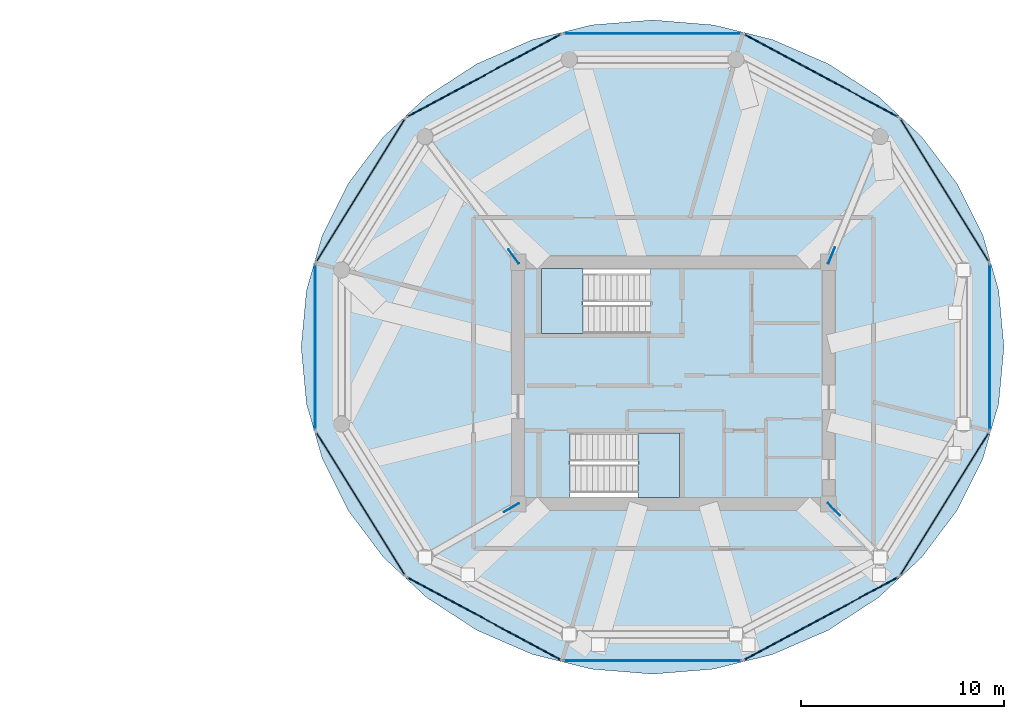
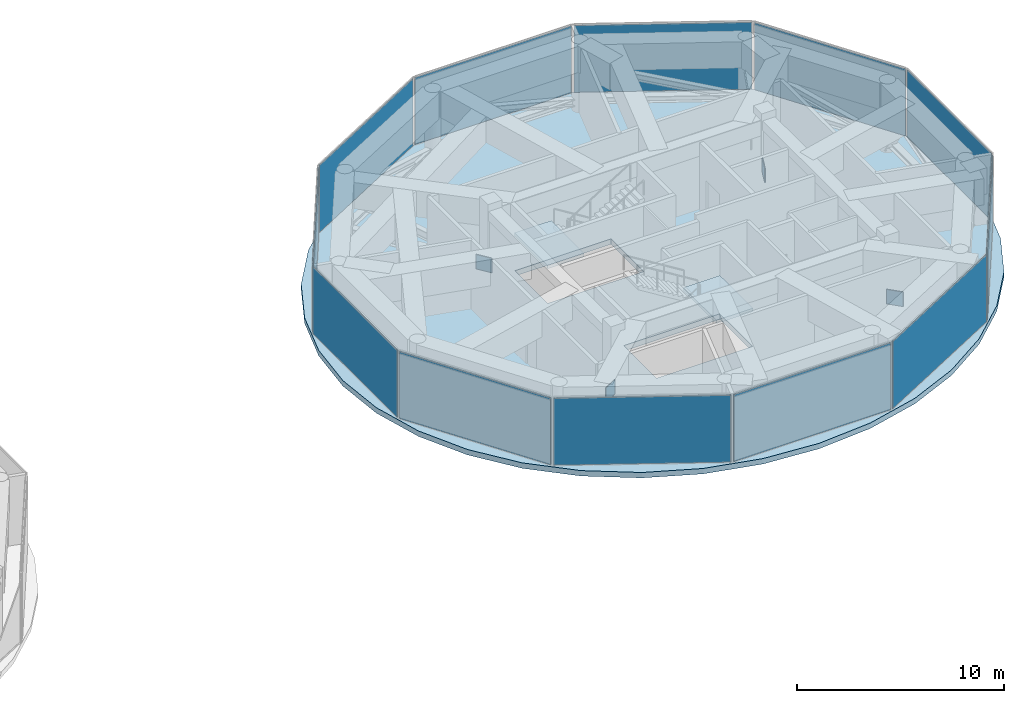
# One storey, part 12 of 20: 16 plates, 3 slabs, 14 elements without a shape of their own.
"""IFC4 building model written with IfcOpenShell, lengths in metres."""

import ifcopenshell
import ifcopenshell.guid

model = None  # the IFC model being written
_history = None  # IfcOwnerHistory: only IFC2X3 demands one
_inside = {}  # id of a spatial element -> (the spatial element, [elements in it])
_under = {}  # id of a project, library or spatial element -> (it, [spatial elements below it])
_declared = {}  # id of a project -> (the project, [libraries it declares])
_typed = {}  # id of a type object -> (the type object, [elements of that type])
_made_of = {}  # id of a material, layer set ... -> (it, [elements and type objects made of it])


def new_model(schema):
    """Start an empty IFC model of exactly this schema.

    Asked for "IFC4X3", IfcOpenShell would pick the latest addendum, in which some entities
    have other attributes; the version numbers below select the first issue.
    IFC2X3 requires an IfcOwnerHistory on every rooted entity: one is made here for all.
    """
    global model, _history
    if schema == "IFC4X3":
        model = ifcopenshell.file(schema_version=(4, 3, 0, 0))
    else:
        model = ifcopenshell.file(schema=schema)
    _inside.clear()
    _under.clear()
    _declared.clear()
    _typed.clear()
    _made_of.clear()
    _history = None
    if model.schema == "IFC2X3":
        org = make("IfcOrganization", Name="unknown")
        user = make(
            "IfcPersonAndOrganization",
            ThePerson=make("IfcPerson", FamilyName="unknown"),
            TheOrganization=org,
        )
        app = make(
            "IfcApplication",
            ApplicationDeveloper=org,
            Version="unknown",
            ApplicationFullName="unknown",
            ApplicationIdentifier="unknown",
        )
        _history = make(
            "IfcOwnerHistory",
            OwningUser=user,
            OwningApplication=app,
            ChangeAction="ADDED",
            CreationDate=0,
        )
    return model


def make(cls, **values):
    """One entity of the class cls with the attributes given. An attribute that is None is left unset."""
    return model.create_entity(
        cls, **{name: value for name, value in values.items() if value is not None}
    )


def rooted(cls, **values):
    """An entity with a GlobalId (a new one), such as an element, a storey or a relation."""
    return make(cls, GlobalId=ifcopenshell.guid.new(), OwnerHistory=_history, **values)


def si_unit(unit_type, name, prefix=None):
    """IfcSIUnit, for example si_unit("LENGTHUNIT", "METRE", prefix="MILLI")."""
    return make("IfcSIUnit", UnitType=unit_type, Prefix=prefix, Name=name)


def assignment(units):
    """IfcUnitAssignment: the units of a project."""
    return None if units is None else make("IfcUnitAssignment", Units=units)


def point(xyz):
    """IfcCartesianPoint."""
    return None if xyz is None else make("IfcCartesianPoint", Coordinates=xyz)


def direction(xyz):
    """IfcDirection."""
    return None if xyz is None else make("IfcDirection", DirectionRatios=xyz)


def frame(location, z_axis=None, x_axis=None):
    """IfcAxis2Placement3D, a coordinate frame: its origin and axes. An axis left out is left unset."""
    return make(
        "IfcAxis2Placement3D",
        Location=point(location),
        Axis=direction(z_axis),
        RefDirection=direction(x_axis),
    )


def frame_2d(location, x_axis=None):
    """IfcAxis2Placement2D, a coordinate frame in the plane: its origin and x axis."""
    return make(
        "IfcAxis2Placement2D", Location=point(location), RefDirection=direction(x_axis)
    )


def origin():
    """The frame at (0, 0, 0) with its axes left unset."""
    return frame((0.0, 0.0, 0.0))


def origin_2d():
    """The frame at (0, 0) in the plane with its x axis left unset."""
    return frame_2d((0.0, 0.0))


def place(relative_to, where):
    """IfcLocalPlacement: puts the frame where relative to a parent placement (None: the world)."""
    return make(
        "IfcLocalPlacement", PlacementRelTo=relative_to, RelativePlacement=where
    )


def context(
    kind, dimensions, precision=None, world=None, true_north=None, identifier=None
):
    """IfcGeometricRepresentationContext, for example the 3D "Model" context."""
    return make(
        "IfcGeometricRepresentationContext",
        ContextIdentifier=identifier,
        ContextType=kind,
        CoordinateSpaceDimension=dimensions,
        Precision=precision,
        WorldCoordinateSystem=world,
        TrueNorth=true_north,
    )


def subcontext(parent, identifier, kind, view, scale=None):
    """IfcGeometricRepresentationSubContext, for example "Body" below "Model"."""
    return make(
        "IfcGeometricRepresentationSubContext",
        ContextIdentifier=identifier,
        ContextType=kind,
        ParentContext=parent,
        TargetScale=scale,
        TargetView=view,
    )


def project(units=None, contexts=None):
    """IfcProject with its units and contexts."""
    return rooted(
        "IfcProject",
        Name="project",
        RepresentationContexts=contexts,
        UnitsInContext=assignment(units),
    )


def spatial(cls, under=None, at=None, **own):
    """A site, building, storey or space (cls), placed at a placement, below another one or the project."""
    s = rooted(cls, ObjectPlacement=at, **own)
    if under is not None:
        _under.setdefault(under.id(), (under, []))[1].append(s)
    return s


def polyline(points):
    """IfcPolyline through the points."""
    return make("IfcPolyline", Points=[point(p) for p in points])


def profile(cls, at=None, kind="AREA", **sizes):
    """A parametric profile (cls). Its sizes go by their IFC names, for example OverallWidth=200.0."""
    return make(cls, ProfileType=kind, Position=at, **sizes)


def rectangle(**sizes):
    """IfcRectangleProfileDef."""
    return profile("IfcRectangleProfileDef", **sizes)


def outline(outer, holes=None, kind="AREA"):
    """IfcArbitraryClosedProfileDef: a profile drawn as a closed curve; with holes, ...WithVoids."""
    if holes is None:
        return make("IfcArbitraryClosedProfileDef", ProfileType=kind, OuterCurve=outer)
    return make(
        "IfcArbitraryProfileDefWithVoids",
        ProfileType=kind,
        OuterCurve=outer,
        InnerCurves=holes,
    )


def extrude(swept, where, along, depth):
    """IfcExtrudedAreaSolid: the profile swept, set in the frame where, extruded along a direction by depth."""
    return make(
        "IfcExtrudedAreaSolid",
        SweptArea=swept,
        Position=where,
        ExtrudedDirection=direction(along),
        Depth=depth,
    )


def shape(context_of_items, identifier, shape_type, items):
    """IfcShapeRepresentation: the items that make up one representation, for example the "Body"."""
    return make(
        "IfcShapeRepresentation",
        ContextOfItems=context_of_items,
        RepresentationIdentifier=identifier,
        RepresentationType=shape_type,
        Items=items,
    )


def source(mapping_origin, context_of_items, identifier, shape_type, items):
    """IfcRepresentationMap: a shape defined once, which mapped items show again and again."""
    return make(
        "IfcRepresentationMap",
        MappingOrigin=mapping_origin,
        MappedRepresentation=shape(context_of_items, identifier, shape_type, items),
    )


def transform(
    local_origin,
    x_axis=None,
    y_axis=None,
    z_axis=None,
    scale=None,
    scale2=None,
    scale3=None,
    uniform=True,
):
    """IfcCartesianTransformationOperator3D, or its non-uniform kind. x_axis, y_axis, z_axis: its Axis1, 2, 3."""
    if uniform:
        return make(
            "IfcCartesianTransformationOperator3D",
            Axis1=direction(x_axis),
            Axis2=direction(y_axis),
            LocalOrigin=point(local_origin),
            Scale=scale,
            Axis3=direction(z_axis),
        )
    return make(
        "IfcCartesianTransformationOperator3DnonUniform",
        Axis1=direction(x_axis),
        Axis2=direction(y_axis),
        LocalOrigin=point(local_origin),
        Scale=scale,
        Axis3=direction(z_axis),
        Scale2=scale2,
        Scale3=scale3,
    )


def mapped(mapping_source, mapping_target):
    """IfcMappedItem: shows the shape of a source again, moved by a transform."""
    return make(
        "IfcMappedItem", MappingSource=mapping_source, MappingTarget=mapping_target
    )


def material(Name=None, Category=None):
    """IfcMaterial."""
    return make("IfcMaterial", Name=Name, Category=Category)


def layer(
    of_material, thickness, ventilated=None, Name=None, Category=None, Priority=None
):
    """IfcMaterialLayer: one layer of a wall or slab, of a material (None: an air gap)."""
    return make(
        "IfcMaterialLayer",
        Material=of_material,
        LayerThickness=thickness,
        IsVentilated=ventilated,
        Name=Name,
        Category=Category,
        Priority=Priority,
    )


def layer_set(layers, Name=None):
    """IfcMaterialLayerSet."""
    return make("IfcMaterialLayerSet", MaterialLayers=layers, LayerSetName=Name)


def made_of(thing, what):
    """Note that an element or type object is made of a material, layer set ...; save() writes the relation."""
    if what is not None:
        _made_of.setdefault(what.id(), (what, []))[1].append(thing)
    return thing


def type_object(cls, material=None, **own):
    """A type object (cls), such as IfcWallType, which elements share."""
    return made_of(rooted(cls, **own), material)


def type_shapes(of_type, sources):
    """Give a type object the sources (RepresentationMaps) that its elements show as mapped items."""
    of_type.RepresentationMaps = sources


def element(
    cls,
    number,
    at=None,
    inside=None,
    cuts=None,
    type_object=None,
    material=None,
    context=None,
    identifier="Body",
    shape_type=None,
    held_by="IfcProductDefinitionShape",
    body=None,
    shapes=None,
    **own,
):
    """One element of the class cls, such as IfcWall. Its Tag is "e" and its number.

    at: its placement. inside: the storey or other place that contains it. cuts: it is an
    opening in that element (IfcRelVoidsElement). A single representation is given by context,
    identifier, shape_type and body (its items); several are given by shapes. held_by: the class
    of the entity that holds the representations. save() writes the other relations.
    """
    e = rooted(cls, Tag="e%d" % number, ObjectPlacement=at, **own)
    if body is not None:
        shapes = [shape(context, identifier, shape_type, body)]
    if shapes is not None:
        e.Representation = make(held_by, Representations=shapes)
    if inside is not None:
        _inside.setdefault(inside.id(), (inside, []))[1].append(e)
    if cuts is not None:
        rooted(
            "IfcRelVoidsElement", RelatingBuildingElement=cuts, RelatedOpeningElement=e
        )
    if type_object is not None:
        _typed.setdefault(type_object.id(), (type_object, []))[1].append(e)
    return made_of(e, material)


def aggregate(whole, parts):
    """IfcRelAggregates: a whole, such as a stair, and the parts it consists of."""
    return rooted("IfcRelAggregates", RelatingObject=whole, RelatedObjects=parts)


def save(model, path):
    """Write the relations noted so far, then the file.

    IfcRelAggregates (storeys below a building ...), IfcRelContainedInSpatialStructure (elements
    in a storey), IfcRelDefinesByType, IfcRelAssociatesMaterial and IfcRelDeclares: one each for
    every whole, place, type object, material and project.
    """
    for whole, parts in _under.values():
        aggregate(whole, parts)
    for where, things in _inside.values():
        rooted(
            "IfcRelContainedInSpatialStructure",
            RelatedElements=things,
            RelatingStructure=where,
        )
    for kind, things in _typed.values():
        rooted("IfcRelDefinesByType", RelatedObjects=things, RelatingType=kind)
    for what, things in _made_of.values():
        rooted("IfcRelAssociatesMaterial", RelatedObjects=things, RelatingMaterial=what)
    for by, libraries in _declared.values():
        rooted("IfcRelDeclares", RelatingContext=by, RelatedDefinitions=libraries)
    model.write(path)


model = new_model("IFC4")

# Units and contexts
model_context = context("Model", 3, precision=1e-05, world=origin(), true_north=direction((0.0, 1.0)))
body_context = subcontext(model_context, "Body", "Model", "MODEL_VIEW")
ifc_project = project(units=[si_unit("LENGTHUNIT", "METRE"), si_unit("AREAUNIT", "SQUARE_METRE"), si_unit("VOLUMEUNIT", "CUBIC_METRE"), si_unit("PLANEANGLEUNIT", "RADIAN"), si_unit("MASSUNIT", "GRAM", prefix="KILO")], contexts=[model_context])

# Site, building, storey
site_placement = place(None, origin())
site = spatial("IfcSite", under=ifc_project, at=site_placement, CompositionType="ELEMENT")
building_placement = place(site_placement, origin())
building = spatial("IfcBuilding", under=site, at=building_placement, Name="Norrkilde Senior Care Towers", CompositionType="ELEMENT")
storey_placement = place(building_placement, frame((0.0, 0.0, 186.14990234375)))
storey = spatial("IfcBuildingStorey", under=building, at=storey_placement, Name="L58", CompositionType="ELEMENT", Elevation=186.14990234375)

# Slab
ifc_material_1 = material(Name="Concrete C50/60", Category="concrete")
ifc_layer_1 = layer(ifc_material_1, 0.320068359375)
ifc_layer_set_1 = layer_set([ifc_layer_1], Name="Concrete C50/60")
slab_type_1 = type_object("IfcSlabType", Name="Podium Clinic Floor Slab 320", PredefinedType="FLOOR", material=ifc_layer_set_1)
slab_1_placement = place(storey_placement, frame((0.0, 0.0, -0.31982421875)))
element("IfcSlab", 1, at=slab_1_placement, inside=storey, type_object=slab_type_1, Name="L58 Drum E Structural Floor Slab", PredefinedType="FLOOR", context=body_context, shape_type="SweptSolid", body=[
    extrude(outline(polyline([(43.231689453125, -3.731201171875), (41.957275390625, -6.274658203125), (40.2275390625, -8.573486328125), (38.09521484375, -10.557861328125), (35.625, -12.167724609375), (32.891845703125, -13.353759765625), (29.97900390625, -14.080078125), (26.97509765625, -14.32470703125), (23.970947265625, -14.080078125), (21.05810546875, -13.353759765625), (18.324951171875, -12.167724609375), (15.854736328125, -10.557861328125), (13.722412109375, -8.573486328125), (11.99267578125, -6.274658203125), (10.71826171875, -3.731201171875), (9.937744140625, -1.020263671875), (9.675048828125, 1.775390625), (9.937744140625, 4.571044921875), (10.71826171875, 7.281982421875), (11.99267578125, 9.825439453125), (13.722412109375, 12.124267578125), (15.854736328125, 14.108642578125), (18.324951171875, 15.71826171875), (21.05810546875, 16.904296875), (23.970947265625, 17.630859375), (26.97509765625, 17.875244140625), (29.97900390625, 17.630859375), (32.891845703125, 16.904296875), (35.625, 15.71826171875), (38.09521484375, 14.108642578125), (40.2275390625, 12.124267578125), (41.957275390625, 9.825439453125), (43.231689453125, 7.281982421875), (44.01220703125, 4.571044921875), (44.27490234375, 1.775390625), (44.01220703125, -1.020263671875), (43.231689453125, -3.731201171875)]), holes=[polyline([(21.51806640625, 2.468017578125), (26.882080078125, 2.468017578125), (26.882080078125, 5.639892578125), (21.51806640625, 5.639892578125), (21.51806640625, 2.468017578125)]), polyline([(28.281982421875, -5.639892578125), (28.281982421875, -2.468017578125), (22.91796875, -2.468017578125), (22.91796875, -5.639892578125), (28.281982421875, -5.639892578125)])]), origin(), (0.0, 0.0, 1.0), 0.31982421875),
])

# Stair, slab
ifc_material_2 = material(Name="Concrete C45/55", Category="concrete")
stair_type = type_object("IfcStairType", Name="Core Protected Dogleg Stair Refuge 4500", PredefinedType="HALF_TURN_STAIR", material=ifc_material_2)
stair_1_placement = place(storey_placement, origin())
stair_1 = element("IfcStair", 2, at=stair_1_placement, inside=storey, type_object=stair_type, Name="L58 Protected Core Stair E1", PredefinedType="HALF_TURN_STAIR")
ifc_layer_2 = layer(ifc_material_2, 0.199951171875)
ifc_layer_set_2 = layer_set([ifc_layer_2], Name="Concrete C45/55")
slab_type_2 = type_object("IfcSlabType", Name="Stair Landing Slab 200", PredefinedType="LANDING", material=ifc_layer_set_2)
slab_2_placement = place(storey_placement, frame((0.0, 0.0, 2.050048828125)))
slab_2 = element("IfcSlab", 3, at=slab_2_placement, type_object=slab_type_2, Name="ST-E1 landing 1", PredefinedType="LANDING", context=body_context, shape_type="SweptSolid", body=[
    extrude(outline(polyline([(23.5400390625, 5.639892578125), (21.5, 5.639892578125), (21.5, 2.449951171875), (23.5400390625, 2.449951171875), (23.5400390625, 5.639892578125)])), origin(), (0.0, 0.0, 1.0), 0.199951171875),
])
aggregate(stair_1, [slab_2])

stair_2_placement = place(storey_placement, origin())
stair_2 = element("IfcStair", 4, at=stair_2_placement, inside=storey, type_object=stair_type, Name="L58 Protected Core Stair E2", PredefinedType="HALF_TURN_STAIR")
slab_3_placement = place(storey_placement, frame((0.0, 0.0, 2.050048828125)))
slab_3 = element("IfcSlab", 5, at=slab_3_placement, type_object=slab_type_2, Name="ST-E2 landing 1", PredefinedType="LANDING", context=body_context, shape_type="SweptSolid", body=[
    extrude(outline(polyline([(26.260009765625, -5.639892578125), (28.300048828125, -5.639892578125), (28.300048828125, -2.449951171875), (26.260009765625, -2.449951171875), (26.260009765625, -5.639892578125)])), origin(), (0.0, 0.0, 1.0), 0.199951171875),
])
aggregate(stair_2, [slab_3])

# Plates
ifc_material_3 = material(Name="Steel S355", Category="steel")
ifc_layer_3 = layer(ifc_material_3, 0.034912109375)
ifc_layer_set_3 = layer_set([ifc_layer_3], Name="Steel S355")
plate_type_1 = type_object("IfcPlateType", Name="Truss Node Gusset Plate 35", PredefinedType="USERDEFINED", material=ifc_layer_set_3)
shared_shape_1 = source(origin(), body_context, "Body", "SweptSolid", [
    extrude(rectangle(XDim=0.85009765625, YDim=0.034912109375, at=origin_2d()), origin(), (0.0, 0.0, 1.0), 0.85009765625),
])
type_shapes(plate_type_1, [shared_shape_1])
for number, where, z_axis, x_axis, name in (
    (6, (20.037841796875, -6.12939453125, 0.125), (0.0, 0.0, 1.0), (-0.867009045177, -0.498292399682, 0.0), "L58 Outrigger Node Assembly ND-1 Gusset Plate"),
    (7, (35.8994140625, -6.20947265625, 0.125), (0.0, 0.0, 1.0), (0.693134164058, -0.720808594992, 0.0), "L58 Outrigger Node Assembly ND-2 Gusset Plate"),
    (8, (35.786376953125, 6.283203125, 0.125), (0.0, 0.0, 1.0), (0.378970421098, 0.925408785312, 0.0), "L58 Outrigger Node Assembly ND-3 Gusset Plate"),
    (9, (20.1357421875, 6.2392578125, 0.125), (0.0, 0.0, 1.0), (-0.595358091135, 0.803460480248, 0.0), "L58 Outrigger Node Assembly ND-4 Gusset Plate"),
):
    element("IfcPlate", number, at=place(storey_placement, frame(where, z_axis=z_axis, x_axis=x_axis)), inside=storey, type_object=plate_type_1, Name=name, ObjectType="GUSSET_PLATE", PredefinedType="USERDEFINED", context=body_context, shape_type="MappedRepresentation", body=[
        mapped(shared_shape_1, transform((0.0, 0.0, 0.0), x_axis=(1.0, 0.0, 0.0), y_axis=(0.0, 1.0, 0.0), z_axis=(0.0, 0.0, 1.0), scale=1.0)),
    ])

# Curtain wall, plate
ifc_material_4 = material(Name="Triple Low-E Insulated Glazing", Category="glass")
ifc_layer_4 = layer(ifc_material_4, 0.18505859375)
ifc_layer_set_4 = layer_set([ifc_layer_4], Name="Triple Low-E Insulated Glazing")
curtain_wall_type = type_object("IfcCurtainWallType", Name="CW6 Zone 4 Crown Pavilion Curtain Wall", PredefinedType="NOTDEFINED", material=ifc_layer_set_4)
curtain_wall_1_placement = place(storey_placement, origin())
curtain_wall_1 = element("IfcCurtainWall", 10, at=curtain_wall_1_placement, inside=storey, type_object=curtain_wall_type, Name="L58 Drum E Curtain Wall 00", PredefinedType="NOTDEFINED")
ifc_material_5 = material(Name="Architectural Terracotta", Category="masonry")
ifc_layer_5 = layer(ifc_material_5, 0.048095703125)
ifc_layer_set_5 = layer_set([ifc_layer_5], Name="Architectural Terracotta")
plate_type_2 = type_object("IfcPlateType", Name="Insulated Terracotta Spandrel Panel 48", PredefinedType="CURTAIN_PANEL", material=ifc_layer_set_5)
shared_shape_2 = source(origin(), body_context, "Body", "SweptSolid", [
    extrude(rectangle(XDim=8.29150390625, YDim=0.048095703125, at=origin_2d()), origin(), (0.0, 0.0, 1.0), 3.949951171875),
])
plate_1_placement = place(storey_placement, frame((41.346435546875, 9.4931640625, 0.06494140625), z_axis=(0.0, 0.0, 1.0), x_axis=(0.52737270789, -0.84963405474, 0.0)))
plate_1 = element("IfcPlate", 11, at=plate_1_placement, type_object=plate_type_2, Name="CW-6 panel 1.1", PredefinedType="CURTAIN_PANEL", context=body_context, shape_type="MappedRepresentation", body=[
    mapped(shared_shape_2, transform((0.0, 0.0, 0.0), x_axis=(1.0, 0.0, 0.0), y_axis=(0.0, 1.0, 0.0), z_axis=(0.0, 0.0, 1.0), scale=1.0)),
])
aggregate(curtain_wall_1, [plate_1])

curtain_wall_2_placement = place(storey_placement, origin())
curtain_wall_2 = element("IfcCurtainWall", 12, at=curtain_wall_2_placement, inside=storey, type_object=curtain_wall_type, Name="L58 Drum E Curtain Wall 04", PredefinedType="NOTDEFINED")
plate_2_placement = place(storey_placement, frame((12.603759765625, 9.4931640625, 0.06494140625), z_axis=(0.0, 0.0, 1.0), x_axis=(0.52737270789, 0.84963405474, 0.0)))
plate_2 = element("IfcPlate", 13, at=plate_2_placement, type_object=plate_type_2, Name="CW-6 panel 1.1", PredefinedType="CURTAIN_PANEL", context=body_context, shape_type="MappedRepresentation", body=[
    mapped(shared_shape_2, transform((0.0, 0.0, 0.0), x_axis=(1.0, 0.0, 0.0), y_axis=(0.0, 1.0, 0.0), z_axis=(0.0, 0.0, 1.0), scale=1.0)),
])
aggregate(curtain_wall_2, [plate_2])

curtain_wall_3_placement = place(storey_placement, origin())
curtain_wall_3 = element("IfcCurtainWall", 14, at=curtain_wall_3_placement, inside=storey, type_object=curtain_wall_type, Name="L58 Drum E Curtain Wall 06", PredefinedType="NOTDEFINED")
plate_3_placement = place(storey_placement, frame((12.603759765625, -5.9423828125, 0.06494140625), z_axis=(0.0, 0.0, 1.0), x_axis=(-0.52737270789, 0.84963405474, 0.0)))
plate_3 = element("IfcPlate", 15, at=plate_3_placement, type_object=plate_type_2, Name="CW-6 panel 1.1", PredefinedType="CURTAIN_PANEL", context=body_context, shape_type="MappedRepresentation", body=[
    mapped(shared_shape_2, transform((0.0, 0.0, 0.0), x_axis=(1.0, 0.0, 0.0), y_axis=(0.0, 1.0, 0.0), z_axis=(0.0, 0.0, 1.0), scale=1.0)),
])
aggregate(curtain_wall_3, [plate_3])

curtain_wall_4_placement = place(storey_placement, origin())
curtain_wall_4 = element("IfcCurtainWall", 16, at=curtain_wall_4_placement, inside=storey, type_object=curtain_wall_type, Name="L58 Drum E Curtain Wall 10", PredefinedType="NOTDEFINED")
plate_4_placement = place(storey_placement, frame((41.346435546875, -5.9423828125, 0.06494140625), z_axis=(0.0, 0.0, 1.0), x_axis=(-0.52737270789, -0.84963405474, 0.0)))
plate_4 = element("IfcPlate", 17, at=plate_4_placement, type_object=plate_type_2, Name="CW-6 panel 1.1", PredefinedType="CURTAIN_PANEL", context=body_context, shape_type="MappedRepresentation", body=[
    mapped(shared_shape_2, transform((0.0, 0.0, 0.0), x_axis=(1.0, 0.0, 0.0), y_axis=(0.0, 1.0, 0.0), z_axis=(0.0, 0.0, 1.0), scale=1.0)),
])
aggregate(curtain_wall_4, [plate_4])

curtain_wall_5_placement = place(storey_placement, origin())
curtain_wall_5 = element("IfcCurtainWall", 18, at=curtain_wall_5_placement, inside=storey, type_object=curtain_wall_type, Name="L58 Drum E Curtain Wall 01", PredefinedType="NOTDEFINED")
shared_shape_3 = source(origin(), body_context, "Body", "SweptSolid", [
    extrude(rectangle(XDim=8.601806640625, YDim=0.048095703125, at=origin_2d()), origin(), (0.0, 0.0, 1.0), 3.949951171875),
])
plate_5_placement = place(storey_placement, frame((35.272216796875, 15.142822265625, 0.06494140625), z_axis=(0.0, 0.0, 1.0), x_axis=(0.880999524059, -0.47311715104, 0.0)))
plate_5 = element("IfcPlate", 19, at=plate_5_placement, type_object=plate_type_2, Name="CW-6 panel 1.1", PredefinedType="CURTAIN_PANEL", context=body_context, shape_type="MappedRepresentation", body=[
    mapped(shared_shape_3, transform((0.0, 0.0, 0.0), x_axis=(1.0, 0.0, 0.0), y_axis=(0.0, 1.0, 0.0), z_axis=(0.0, 0.0, 1.0), scale=1.0)),
])
aggregate(curtain_wall_5, [plate_5])

curtain_wall_6_placement = place(storey_placement, origin())
curtain_wall_6 = element("IfcCurtainWall", 20, at=curtain_wall_6_placement, inside=storey, type_object=curtain_wall_type, Name="L58 Drum E Curtain Wall 03", PredefinedType="NOTDEFINED")
plate_6_placement = place(storey_placement, frame((18.677734375, 15.142822265625, 0.06494140625), z_axis=(0.0, 0.0, 1.0), x_axis=(0.880999524059, 0.47311715104, 0.0)))
plate_6 = element("IfcPlate", 21, at=plate_6_placement, type_object=plate_type_2, Name="CW-6 panel 1.1", PredefinedType="CURTAIN_PANEL", context=body_context, shape_type="MappedRepresentation", body=[
    mapped(shared_shape_3, transform((0.0, 0.0, 0.0), x_axis=(1.0, 0.0, 0.0), y_axis=(0.0, 1.0, 0.0), z_axis=(0.0, 0.0, 1.0), scale=1.0)),
])
aggregate(curtain_wall_6, [plate_6])

curtain_wall_7_placement = place(storey_placement, origin())
curtain_wall_7 = element("IfcCurtainWall", 22, at=curtain_wall_7_placement, inside=storey, type_object=curtain_wall_type, Name="L58 Drum E Curtain Wall 07", PredefinedType="NOTDEFINED")
plate_7_placement = place(storey_placement, frame((18.677734375, -11.59228515625, 0.06494140625), z_axis=(0.0, 0.0, 1.0), x_axis=(-0.880999524059, 0.47311715104, 0.0)))
plate_7 = element("IfcPlate", 23, at=plate_7_placement, type_object=plate_type_2, Name="CW-6 panel 1.1", PredefinedType="CURTAIN_PANEL", context=body_context, shape_type="MappedRepresentation", body=[
    mapped(shared_shape_3, transform((0.0, 0.0, 0.0), x_axis=(1.0, 0.0, 0.0), y_axis=(0.0, 1.0, 0.0), z_axis=(0.0, 0.0, 1.0), scale=1.0)),
])
aggregate(curtain_wall_7, [plate_7])

curtain_wall_8_placement = place(storey_placement, origin())
curtain_wall_8 = element("IfcCurtainWall", 24, at=curtain_wall_8_placement, inside=storey, type_object=curtain_wall_type, Name="L58 Drum E Curtain Wall 09", PredefinedType="NOTDEFINED")
plate_8_placement = place(storey_placement, frame((35.272216796875, -11.59228515625, 0.06494140625), z_axis=(0.0, 0.0, 1.0), x_axis=(-0.880999524059, -0.47311715104, 0.0)))
plate_8 = element("IfcPlate", 25, at=plate_8_placement, type_object=plate_type_2, Name="CW-6 panel 1.1", PredefinedType="CURTAIN_PANEL", context=body_context, shape_type="MappedRepresentation", body=[
    mapped(shared_shape_3, transform((0.0, 0.0, 0.0), x_axis=(1.0, 0.0, 0.0), y_axis=(0.0, 1.0, 0.0), z_axis=(0.0, 0.0, 1.0), scale=1.0)),
])
aggregate(curtain_wall_8, [plate_8])

curtain_wall_9_placement = place(storey_placement, origin())
curtain_wall_9 = element("IfcCurtainWall", 26, at=curtain_wall_9_placement, inside=storey, type_object=curtain_wall_type, Name="L58 Drum E Curtain Wall 02", PredefinedType="NOTDEFINED")
shared_shape_4 = source(origin(), body_context, "Body", "SweptSolid", [
    extrude(rectangle(XDim=8.7529296875, YDim=0.048095703125, at=origin_2d()), origin(), (0.0, 0.0, 1.0), 3.949951171875),
])
plate_9_placement = place(storey_placement, frame((26.97509765625, 17.2109375, 0.06494140625), z_axis=(0.0, 0.0, 1.0), x_axis=(1.0, 0.0, 0.0)))
plate_9 = element("IfcPlate", 27, at=plate_9_placement, type_object=plate_type_2, Name="CW-6 panel 1.1", PredefinedType="CURTAIN_PANEL", context=body_context, shape_type="MappedRepresentation", body=[
    mapped(shared_shape_4, transform((0.0, 0.0, 0.0), x_axis=(1.0, 0.0, 0.0), y_axis=(0.0, 1.0, 0.0), z_axis=(0.0, 0.0, 1.0), scale=1.0)),
])
aggregate(curtain_wall_9, [plate_9])

curtain_wall_10_placement = place(storey_placement, origin())
curtain_wall_10 = element("IfcCurtainWall", 28, at=curtain_wall_10_placement, inside=storey, type_object=curtain_wall_type, Name="L58 Drum E Curtain Wall 08", PredefinedType="NOTDEFINED")
plate_10_placement = place(storey_placement, frame((26.97509765625, -13.66015625, 0.06494140625), z_axis=(0.0, 0.0, 1.0), x_axis=(-1.0, 0.0, 0.0)))
plate_10 = element("IfcPlate", 29, at=plate_10_placement, type_object=plate_type_2, Name="CW-6 panel 1.1", PredefinedType="CURTAIN_PANEL", context=body_context, shape_type="MappedRepresentation", body=[
    mapped(shared_shape_4, transform((0.0, 0.0, 0.0), x_axis=(1.0, 0.0, 0.0), y_axis=(0.0, 1.0, 0.0), z_axis=(0.0, 0.0, 1.0), scale=1.0)),
])
aggregate(curtain_wall_10, [plate_10])

curtain_wall_11_placement = place(storey_placement, origin())
curtain_wall_11 = element("IfcCurtainWall", 30, at=curtain_wall_11_placement, inside=storey, type_object=curtain_wall_type, Name="L58 Drum E Curtain Wall 05", PredefinedType="NOTDEFINED")
shared_shape_5 = source(origin(), body_context, "Body", "SweptSolid", [
    extrude(rectangle(XDim=8.1318359375, YDim=0.048095703125, at=origin_2d()), origin(), (0.0, 0.0, 1.0), 3.949951171875),
])
type_shapes(plate_type_2, [shared_shape_2, shared_shape_3, shared_shape_4, shared_shape_5])
plate_11_placement = place(storey_placement, frame((10.38037109375, 1.775390625, 0.06494140625), z_axis=(0.0, 0.0, 1.0), x_axis=(0.0, 1.0, 0.0)))
plate_11 = element("IfcPlate", 31, at=plate_11_placement, type_object=plate_type_2, Name="CW-6 panel 1.1", PredefinedType="CURTAIN_PANEL", context=body_context, shape_type="MappedRepresentation", body=[
    mapped(shared_shape_5, transform((0.0, 0.0, 0.0), x_axis=(1.0, 0.0, 0.0), y_axis=(0.0, 1.0, 0.0), z_axis=(0.0, 0.0, 1.0), scale=1.0)),
])
aggregate(curtain_wall_11, [plate_11])

curtain_wall_12_placement = place(storey_placement, origin())
curtain_wall_12 = element("IfcCurtainWall", 32, at=curtain_wall_12_placement, inside=storey, type_object=curtain_wall_type, Name="L58 Drum E Curtain Wall 11", PredefinedType="NOTDEFINED")
plate_12_placement = place(storey_placement, frame((43.569580078125, 1.775390625, 0.06494140625), z_axis=(0.0, 0.0, 1.0), x_axis=(0.0, -1.0, 0.0)))
plate_12 = element("IfcPlate", 33, at=plate_12_placement, type_object=plate_type_2, Name="CW-6 panel 1.1", PredefinedType="CURTAIN_PANEL", context=body_context, shape_type="MappedRepresentation", body=[
    mapped(shared_shape_5, transform((0.0, 0.0, 0.0), x_axis=(1.0, 0.0, 0.0), y_axis=(0.0, 1.0, 0.0), z_axis=(0.0, 0.0, 1.0), scale=1.0)),
])
aggregate(curtain_wall_12, [plate_12])

save(model, "model.ifc")
